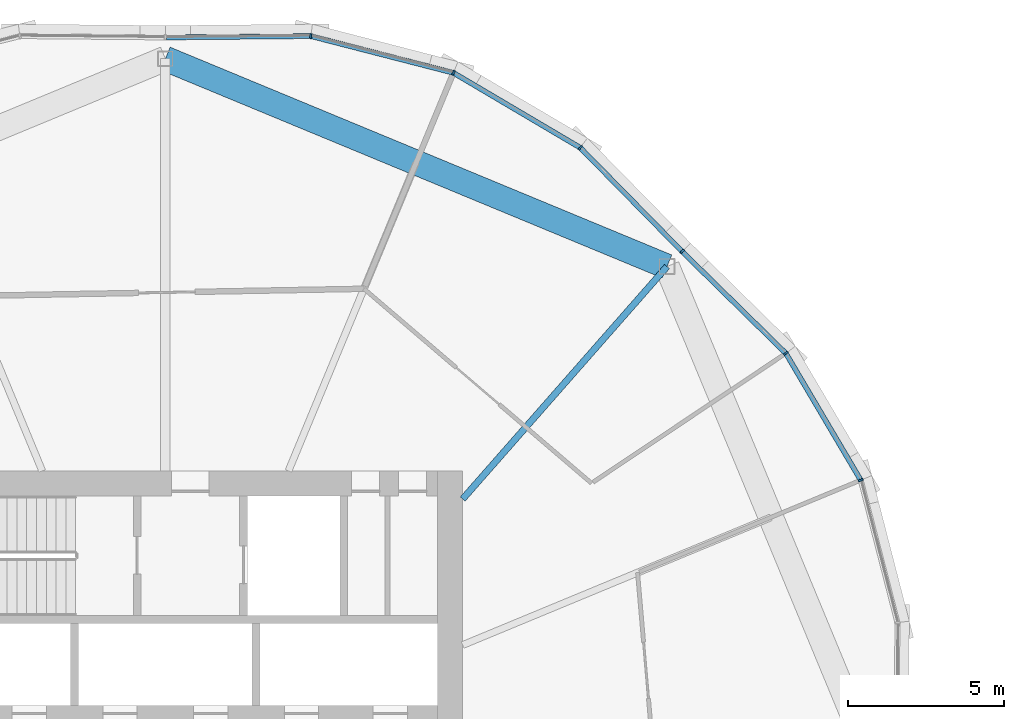
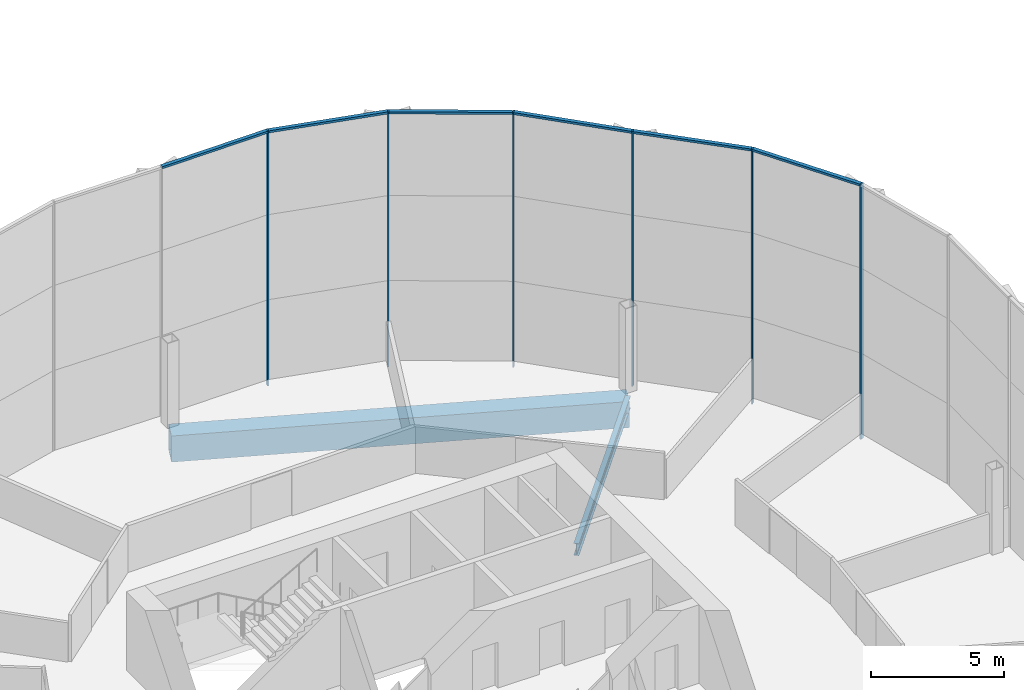
# One storey, part 9 of 26: 12 members, 2 beams, 2 elements without a shape of their own.
"""IFC4 building model written with IfcOpenShell, lengths in metres."""

from ifc_helpers import new_model, si_unit, direction, frame, origin, origin_2d, place, context, subcontext, project, spatial, rectangle, hollow_rectangle, i_section, extrude, material, material_profile, profile_set, type_object, element, aggregate, save


model = new_model("IFC4")

# Units and contexts
model_context = context("Model", 3, precision=1e-05, world=origin(), true_north=direction((0.0, 1.0)))
body_context = subcontext(model_context, "Body", "Model", "MODEL_VIEW")
ifc_project = project(units=[si_unit("LENGTHUNIT", "METRE"), si_unit("AREAUNIT", "SQUARE_METRE"), si_unit("VOLUMEUNIT", "CUBIC_METRE"), si_unit("PLANEANGLEUNIT", "RADIAN"), si_unit("MASSUNIT", "GRAM", prefix="KILO")], contexts=[model_context])

# Site, building, storey
site_placement = place(None, origin())
site = spatial("IfcSite", under=ifc_project, at=site_placement, CompositionType="ELEMENT")
building_placement = place(site_placement, origin())
building = spatial("IfcBuilding", under=site, at=building_placement, Name="Ogive Gate Towers", CompositionType="ELEMENT")
storey_placement = place(building_placement, frame((0.0, 0.0, 87.89990234375)))
storey = spatial("IfcBuildingStorey", under=building, at=storey_placement, Name="L20", CompositionType="ELEMENT", Elevation=87.89990234375)

# Beams
ifc_material_1 = material(Name="Steel SM460", Category="steel")
ifc_material_profile_1 = material_profile(ifc_material_1, hollow_rectangle(XDim=0.800048828125, YDim=1.199951171875, WallThickness=0.050048828125, at=origin_2d()), Name="BX 1200x800x50")
ifc_profile_set_1 = profile_set([ifc_material_profile_1], Name="Steel SM460")
beam_type_1 = type_object("IfcBeamType", Name="Edge girder BX 1200x800x50", PredefinedType="BEAM", material=ifc_profile_set_1)
beam_1_placement = place(storey_placement, frame((-19.969970703125, 16.030029296875, -0.89990234375), z_axis=(-0.923878777792, 0.382685254414, 0.0), x_axis=(-0.382685254414, -0.923878777792, 0.0)))
element("IfcBeam", 1, at=beam_1_placement, inside=storey, type_object=beam_type_1, Name="T1/L20/SBM021", PredefinedType="BEAM", context=body_context, shape_type="SweptSolid", body=[
    extrude(hollow_rectangle(XDim=0.800048828125, YDim=1.199951171875, WallThickness=0.050048828125, at=origin_2d()), origin(), (0.0, 0.0, 1.0), 17.350830078125),
])
ifc_material_2 = material(Name="Steel SM355", Category="steel")
ifc_material_profile_2 = material_profile(ifc_material_2, i_section(OverallWidth=0.2099609375, OverallDepth=0.550048828125, WebThickness=0.010986328125, FlangeThickness=0.01708984375, FilletRadius=0.02392578125, at=origin_2d()), Name="IPE 550")
ifc_profile_set_2 = profile_set([ifc_material_profile_2], Name="Steel SM355")
beam_type_2 = type_object("IfcBeamType", Name="Radial floor beam IPE 550", PredefinedType="BEAM", material=ifc_profile_set_2)
beam_2_placement = place(storey_placement, frame((-26.5, 8.60009765625, -0.574951171875), z_axis=(0.660154276137, 0.751130036477, 0.0), x_axis=(-0.751130036477, 0.660154276137, 0.0)))
element("IfcBeam", 2, at=beam_2_placement, inside=storey, type_object=beam_type_2, Name="T1/L20/SBM009", PredefinedType="BEAM", context=body_context, shape_type="SweptSolid", body=[
    extrude(i_section(OverallWidth=0.2099609375, OverallDepth=0.550048828125, WebThickness=0.010986328125, FlangeThickness=0.01708984375, FilletRadius=0.02392578125, at=origin_2d()), origin(), (0.0, 0.0, 1.0), 9.8916015625),
])

# Curtain wall, members
ifc_material_3 = material(Name="Pale metal aluminium", Category="aluminium")
curtain_wall_type = type_object("IfcCurtainWallType", Name="Tower unitised wall, low zone", PredefinedType="NOTDEFINED", material=ifc_material_3)
curtain_wall_1_placement = place(storey_placement, origin())
curtain_wall_1 = element("IfcCurtainWall", 3, at=curtain_wall_1_placement, inside=storey, type_object=curtain_wall_type, Name="CW1 T1 ECW01", PredefinedType="NOTDEFINED")
ifc_material_profile_3 = material_profile(ifc_material_3, rectangle(XDim=0.159912109375, YDim=0.06005859375, at=origin_2d()), Name="60 x 160 aluminium box")
ifc_profile_set_3 = profile_set([ifc_material_profile_3], Name="Pale metal aluminium")
member_type_1 = type_object("IfcMemberType", Name="Tower unitised wall, low zone mullion 60 x 160", PredefinedType="MULLION", material=ifc_profile_set_3)
member_1_placement = place(storey_placement, frame((-13.77978515625, 9.203857421875, -0.2998046875), z_axis=(0.0, 0.0, 1.0), x_axis=(0.923879532511, 0.382683432365, 0.0)))
member_1 = element("IfcMember", 4, at=member_1_placement, type_object=member_type_1, Name="CW1 mullion", PredefinedType="MULLION", context=body_context, shape_type="SweptSolid", body=[
    extrude(rectangle(XDim=0.159912109375, YDim=0.06005859375, at=origin_2d()), origin(), (0.0, 0.0, 1.0), 11.699951171875),
])
member_2_placement = place(storey_placement, frame((-16.172119140625, 13.255859375, -0.2998046875), z_axis=(0.0, 0.0, 1.0), x_axis=(0.787494701787, 0.616321421546, 0.0)))
member_2 = element("IfcMember", 5, at=member_2_placement, type_object=member_type_1, Name="CW1 mullion", PredefinedType="MULLION", context=body_context, shape_type="SweptSolid", body=[
    extrude(rectangle(XDim=0.159912109375, YDim=0.06005859375, at=origin_2d()), origin(), (0.0, 0.0, 1.0), 11.699951171875),
])
member_3_placement = place(storey_placement, frame((-19.489013671875, 16.5107421875, -0.2998046875), z_axis=(0.0, 0.0, 1.0), x_axis=(0.700473433647, 0.713678477155, 0.0)))
member_3 = element("IfcMember", 6, at=member_3_placement, type_object=member_type_1, Name="CW1 mullion", PredefinedType="MULLION", context=body_context, shape_type="SweptSolid", body=[
    extrude(rectangle(XDim=0.159912109375, YDim=0.06005859375, at=origin_2d()), origin(), (0.0, 0.0, 1.0), 11.699951171875),
])

curtain_wall_2_placement = place(storey_placement, origin())
curtain_wall_2 = element("IfcCurtainWall", 7, at=curtain_wall_2_placement, inside=storey, type_object=curtain_wall_type, Name="CW1 T1 ECW02", PredefinedType="NOTDEFINED")
member_4_placement = place(storey_placement, frame((-22.744140625, 19.827880859375, -0.2998046875), z_axis=(0.0, 0.0, 1.0), x_axis=(0.616321421546, 0.787494701787, 0.0)))
member_4 = element("IfcMember", 8, at=member_4_placement, type_object=member_type_1, Name="CW1 mullion", PredefinedType="MULLION", context=body_context, shape_type="SweptSolid", body=[
    extrude(rectangle(XDim=0.159912109375, YDim=0.06005859375, at=origin_2d()), origin(), (0.0, 0.0, 1.0), 11.699951171875),
])
member_5_placement = place(storey_placement, frame((-26.796142578125, 22.22021484375, -0.2998046875), z_axis=(0.0, 0.0, 1.0), x_axis=(0.382683432365, 0.923879532511, 0.0)))
member_5 = element("IfcMember", 9, at=member_5_placement, type_object=member_type_1, Name="CW1 mullion", PredefinedType="MULLION", context=body_context, shape_type="SweptSolid", body=[
    extrude(rectangle(XDim=0.159912109375, YDim=0.06005859375, at=origin_2d()), origin(), (0.0, 0.0, 1.0), 11.699951171875),
])
member_6_placement = place(storey_placement, frame((-31.352783203125, 23.3935546875, -0.2998046875), z_axis=(0.0, 0.0, 1.0), x_axis=(0.121037787217, 0.992647900348, 0.0)))
member_6 = element("IfcMember", 10, at=member_6_placement, type_object=member_type_1, Name="CW1 mullion", PredefinedType="MULLION", context=body_context, shape_type="SweptSolid", body=[
    extrude(rectangle(XDim=0.159912109375, YDim=0.06005859375, at=origin_2d()), origin(), (0.0, 0.0, 1.0), 11.699951171875),
])

# Member
ifc_material_profile_4 = material_profile(ifc_material_3, rectangle(XDim=0.159912109375, YDim=0.10009765625, at=origin_2d()), Name="100 x 160 aluminium box")
ifc_profile_set_4 = profile_set([ifc_material_profile_4], Name="Pale metal aluminium")
member_type_2 = type_object("IfcMemberType", Name="Tower unitised wall, low zone transom 100 x 160", PredefinedType="USERDEFINED", material=ifc_profile_set_4)
member_7_placement = place(storey_placement, frame((-13.793701171875, 9.227294921875, 11.35009765625), z_axis=(-0.508446321339, 0.861093687305, 0.0), x_axis=(-0.861093687305, -0.508446321339, 0.0)))
member_7 = element("IfcMember", 11, at=member_7_placement, type_object=member_type_2, Name="CW1 transom", ObjectType="TRANSOM", PredefinedType="USERDEFINED", context=body_context, shape_type="SweptSolid", body=[
    extrude(rectangle(XDim=0.159912109375, YDim=0.10009765625, at=origin_2d()), origin(), (0.0, 0.0, 1.0), 4.65087890625),
])

member_8_placement = place(storey_placement, frame((-16.19189453125, 13.27490234375, 11.35009765625), z_axis=(-0.713698369312, 0.700453165916, 0.0), x_axis=(-0.700453165916, -0.713698369312, 0.0)))
member_8 = element("IfcMember", 12, at=member_8_placement, type_object=member_type_2, Name="CW1 transom", ObjectType="TRANSOM", PredefinedType="USERDEFINED", context=body_context, shape_type="SweptSolid", body=[
    extrude(rectangle(XDim=0.159912109375, YDim=0.10009765625, at=origin_2d()), origin(), (0.0, 0.0, 1.0), 4.589599609375),
])

aggregate(curtain_wall_1, [member_1, member_2, member_7, member_3, member_8])

member_9_placement = place(storey_placement, frame((-19.51025390625, 16.532470703125, 11.35009765625), z_axis=(-0.700453165916, 0.713698369312, 0.0), x_axis=(-0.713698369312, -0.700453165916, 0.0)))
member_9 = element("IfcMember", 13, at=member_9_placement, type_object=member_type_2, Name="CW1 transom", ObjectType="TRANSOM", PredefinedType="USERDEFINED", context=body_context, shape_type="SweptSolid", body=[
    extrude(rectangle(XDim=0.159912109375, YDim=0.10009765625, at=origin_2d()), origin(), (0.0, 0.0, 1.0), 4.589599609375),
])

member_10_placement = place(storey_placement, frame((-22.767822265625, 19.841552734375, 11.35009765625), z_axis=(-0.861093687305, 0.508446321339, 0.0), x_axis=(-0.508446321339, -0.861093687305, 0.0)))
member_10 = element("IfcMember", 14, at=member_10_placement, type_object=member_type_2, Name="CW1 transom", ObjectType="TRANSOM", PredefinedType="USERDEFINED", context=body_context, shape_type="SweptSolid", body=[
    extrude(rectangle(XDim=0.159912109375, YDim=0.10009765625, at=origin_2d()), origin(), (0.0, 0.0, 1.0), 4.65087890625),
])

member_11_placement = place(storey_placement, frame((-26.822509765625, 22.226806640625, 11.35009765625), z_axis=(-0.968401345103, 0.249396942248, 0.0), x_axis=(-0.249396942248, -0.968401345103, 0.0)))
member_11 = element("IfcMember", 15, at=member_11_placement, type_object=member_type_2, Name="CW1 transom", ObjectType="TRANSOM", PredefinedType="USERDEFINED", context=body_context, shape_type="SweptSolid", body=[
    extrude(rectangle(XDim=0.159912109375, YDim=0.10009765625, at=origin_2d()), origin(), (0.0, 0.0, 1.0), 4.65087890625),
])

member_12_placement = place(storey_placement, frame((-31.38037109375, 23.39306640625, 11.35009765625), z_axis=(-0.999956669412, -0.009309097625, 0.0), x_axis=(0.009309097625, -0.999956669412, 0.0)))
member_12 = element("IfcMember", 16, at=member_12_placement, type_object=member_type_2, Name="CW1 transom", ObjectType="TRANSOM", PredefinedType="USERDEFINED", context=body_context, shape_type="SweptSolid", body=[
    extrude(rectangle(XDim=0.159912109375, YDim=0.10009765625, at=origin_2d()), origin(), (0.0, 0.0, 1.0), 4.589599609375),
])

aggregate(curtain_wall_2, [member_4, member_9, member_5, member_10, member_6, member_11, member_12])

save(model, "model.ifc")
